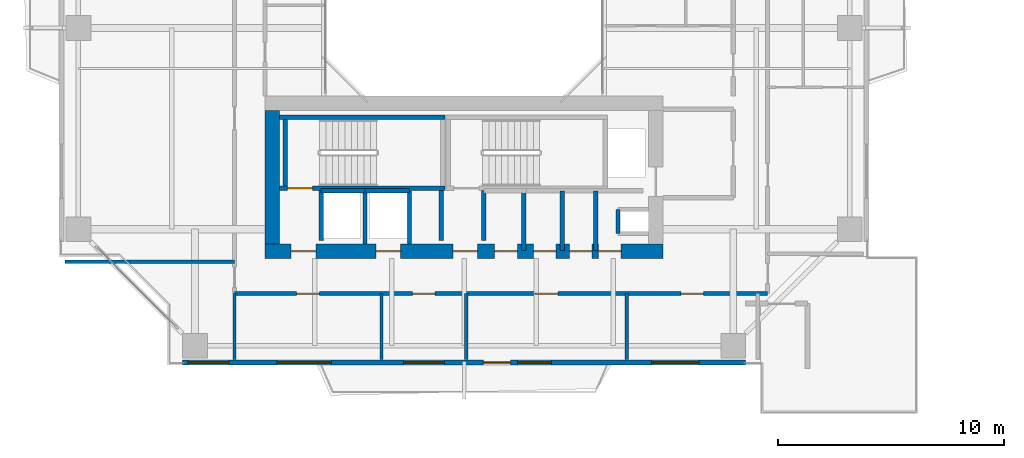
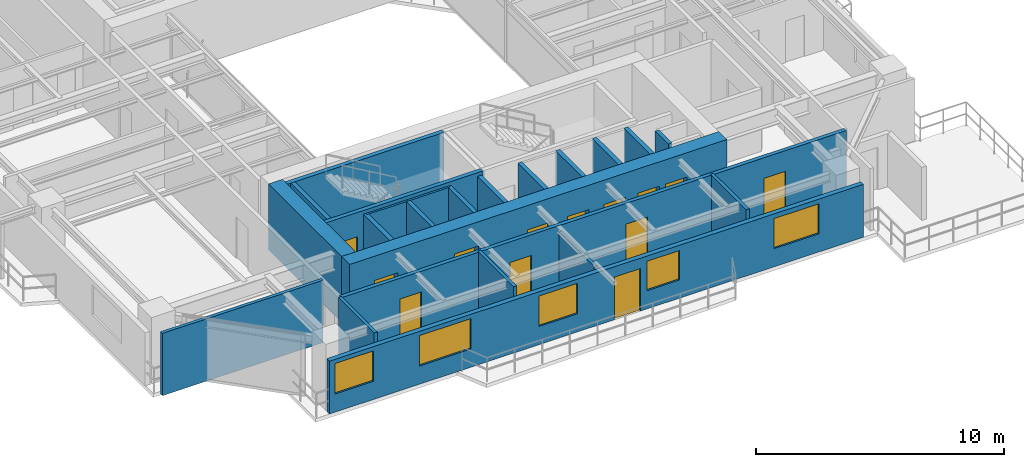
# One storey, part 21 of 28: 23 walls, 13 doors, 5 windows, 18 openings.
"""IFC4 building model written with IfcOpenShell, lengths in metres."""

from ifc_helpers import new_model, si_unit, direction, frame, frame_2d, origin, place, context, subcontext, project, spatial, rectangle, extrude, source, transform, mapped, material, layer, layer_set, type_object, element, fill, save


model = new_model("IFC4")

# Units and contexts
model_context = context("Model", 3, precision=1e-05, world=origin(), true_north=direction((0.0, 1.0)))
body_context = subcontext(model_context, "Body", "Model", "MODEL_VIEW")
ifc_project = project(units=[si_unit("LENGTHUNIT", "METRE"), si_unit("AREAUNIT", "SQUARE_METRE"), si_unit("VOLUMEUNIT", "CUBIC_METRE"), si_unit("PLANEANGLEUNIT", "RADIAN"), si_unit("MASSUNIT", "GRAM", prefix="KILO"), si_unit("THERMODYNAMICTEMPERATUREUNIT", "KELVIN"), si_unit("POWERUNIT", "WATT")], contexts=[model_context])

# Site, building, storey
site_placement = place(None, origin())
site = spatial("IfcSite", under=ifc_project, at=site_placement, CompositionType="ELEMENT")
building_placement = place(site_placement, origin())
building = spatial("IfcBuilding", under=site, at=building_placement, Name="Qiaomeng Ring Towers", CompositionType="ELEMENT")
storey_placement = place(building_placement, frame((0.0, 0.0, 113.25)))
storey = spatial("IfcBuildingStorey", under=building, at=storey_placement, Name="L32", CompositionType="ELEMENT", Elevation=113.25)

# Wall, openings, windows, door
ifc_material_1 = material(Name="Precast concrete C40", Category="concrete")
ifc_layer_1 = layer(ifc_material_1, 0.219970703125, Name="Precast concrete C40")
ifc_layer_set_1 = layer_set([ifc_layer_1], Name="Precast concrete C40")
wall_type_1 = type_object("IfcWallType", Name="ARC-WL-EW2", PredefinedType="STANDARD", material=ifc_layer_set_1)
wall_1_placement = place(storey_placement, frame((6.550048828125, 5.2099609375, 0.0), z_axis=(0.0, 0.0, 1.0), x_axis=(1.0, 0.0, 0.0)))
wall_1 = element("IfcWall", 1, at=wall_1_placement, inside=storey, type_object=wall_type_1, Name="L32 Tower 1 S Exterior Wall", PredefinedType="STANDARD", context=body_context, shape_type="SweptSolid", body=[
    extrude(rectangle(XDim=24.89990234375, YDim=0.219970703125, at=frame_2d((12.449951171875, 0.0))), origin(), (0.0, 0.0, 1.0), 2.610107421875),
])
opening_1_placement = place(wall_1_placement, frame((13.300048828125, 0.0, 0.0)))
opening_1 = element("IfcOpeningElement", 2, at=opening_1_placement, cuts=wall_1, Name="Opening BD1", PredefinedType="OPENING", context=body_context, shape_type="SweptSolid", body=[
    extrude(rectangle(XDim=1.199951171875, YDim=2.10009765625, at=frame_2d((0.60009765625, 1.050048828125))), frame((0.0, 0.119873046875, 0.0), z_axis=(0.0, -1.0, 0.0), x_axis=(1.0, 0.0, 0.0)), (0.0, 0.0, 1.0), 0.239990234375),
])
opening_2_placement = place(wall_1_placement, frame((0.257568359375, 0.0, 0.89990234375)))
opening_2 = element("IfcOpeningElement", 3, at=opening_2_placement, cuts=wall_1, Name="Opening WN1", PredefinedType="OPENING", context=body_context, shape_type="SweptSolid", body=[
    extrude(rectangle(XDim=1.800048828125, YDim=1.5, at=frame_2d((0.89990234375, 0.75))), frame((0.0, 0.119873046875, 0.0), z_axis=(0.0, -1.0, 0.0), x_axis=(1.0, 0.0, 0.0)), (0.0, 0.0, 1.0), 0.239990234375),
])
opening_3_placement = place(wall_1_placement, frame((9.77490234375, 0.0, 0.89990234375)))
opening_3 = element("IfcOpeningElement", 4, at=opening_3_placement, cuts=wall_1, Name="Opening WN1", PredefinedType="OPENING", context=body_context, shape_type="SweptSolid", body=[
    extrude(rectangle(XDim=1.800048828125, YDim=1.5, at=frame_2d((0.89990234375, 0.75))), frame((0.0, 0.119873046875, 0.0), z_axis=(0.0, -1.0, 0.0), x_axis=(1.0, 0.0, 0.0)), (0.0, 0.0, 1.0), 0.239990234375),
])
opening_4_placement = place(wall_1_placement, frame((14.81298828125, 0.0, 0.89990234375)))
opening_4 = element("IfcOpeningElement", 5, at=opening_4_placement, cuts=wall_1, Name="Opening WN2", PredefinedType="OPENING", context=body_context, shape_type="SweptSolid", body=[
    extrude(rectangle(XDim=1.5, YDim=1.449951171875, at=frame_2d((0.75, 0.72509765625))), frame((0.0, 0.119873046875, 0.0), z_axis=(0.0, -1.0, 0.0), x_axis=(1.0, 0.0, 0.0)), (0.0, 0.0, 1.0), 0.239990234375),
])
opening_5_placement = place(wall_1_placement, frame((20.738037109375, 0.0, 0.89990234375)))
opening_5 = element("IfcOpeningElement", 6, at=opening_5_placement, cuts=wall_1, Name="Opening WN4", PredefinedType="OPENING", context=body_context, shape_type="SweptSolid", body=[
    extrude(rectangle(XDim=2.10009765625, YDim=1.47998046875, at=frame_2d((1.050048828125, 0.739990234375))), frame((0.0, 0.119873046875, 0.0), z_axis=(0.0, -1.0, 0.0), x_axis=(1.0, 0.0, 0.0)), (0.0, 0.0, 1.0), 0.239990234375),
])
opening_6_placement = place(wall_1_placement, frame((4.1865234375, 0.0, 0.89990234375)))
opening_6 = element("IfcOpeningElement", 7, at=opening_6_placement, cuts=wall_1, Name="Opening WN6", PredefinedType="OPENING", context=body_context, shape_type="SweptSolid", body=[
    extrude(rectangle(XDim=2.39990234375, YDim=1.5, at=frame_2d((1.199951171875, 0.75))), frame((0.0, 0.119873046875, 0.0), z_axis=(0.0, -1.0, 0.0), x_axis=(1.0, 0.0, 0.0)), (0.0, 0.0, 1.0), 0.239990234375),
])
ifc_material_2 = material(Name="Low-E dark-grey laminated double glazing", Category="glass")
window_type_1 = type_object("IfcWindowType", Name="ARC-WN-2", PartitioningType="DOUBLE_PANEL_VERTICAL", PredefinedType="WINDOW", material=ifc_material_2)
shared_shape_1 = source(origin(), body_context, "Body", "SweptSolid", [
    extrude(rectangle(XDim=1.5, YDim=1.449951171875, at=frame_2d((0.75, 0.72509765625))), frame((0.0, 0.030029296875, 0.0), z_axis=(0.0, -1.0, 0.0), x_axis=(1.0, 0.0, 0.0)), (0.0, 0.0, 1.0), 0.06005859375),
])
window_1_placement = place(opening_4_placement, origin())
window_1 = element("IfcWindow", 8, at=window_1_placement, inside=storey, type_object=window_type_1, Name="L32 Exterior Window WN2", OverallHeight=1.449951171875, OverallWidth=1.5, PartitioningType="DOUBLE_PANEL_VERTICAL", PredefinedType="WINDOW", context=body_context, shape_type="MappedRepresentation", body=[
    mapped(shared_shape_1, transform((0.0, 0.0, 0.0), x_axis=(1.0, 0.0, 0.0), y_axis=(0.0, 1.0, 0.0), z_axis=(0.0, 0.0, 1.0), scale=1.0)),
])
fill(opening_4, window_1)
window_type_2 = type_object("IfcWindowType", Name="ARC-WN-4", PartitioningType="TRIPLE_PANEL_VERTICAL", PredefinedType="WINDOW", material=ifc_material_2)
shared_shape_2 = source(origin(), body_context, "Body", "SweptSolid", [
    extrude(rectangle(XDim=2.10009765625, YDim=1.47998046875, at=frame_2d((1.050048828125, 0.739990234375))), frame((0.0, 0.030029296875, 0.0), z_axis=(0.0, -1.0, 0.0), x_axis=(1.0, 0.0, 0.0)), (0.0, 0.0, 1.0), 0.06005859375),
])
window_2_placement = place(opening_5_placement, origin())
window_2 = element("IfcWindow", 9, at=window_2_placement, inside=storey, type_object=window_type_2, Name="L32 Exterior Window WN4", OverallHeight=1.47998046875, OverallWidth=2.10009765625, PartitioningType="TRIPLE_PANEL_VERTICAL", PredefinedType="WINDOW", context=body_context, shape_type="MappedRepresentation", body=[
    mapped(shared_shape_2, transform((0.0, 0.0, 0.0), x_axis=(1.0, 0.0, 0.0), y_axis=(0.0, 1.0, 0.0), z_axis=(0.0, 0.0, 1.0), scale=1.0)),
])
fill(opening_5, window_2)
door_type_1 = type_object("IfcDoorType", Name="ARC-DR-BD1", OperationType="NOTDEFINED", PredefinedType="DOOR", material=ifc_material_2)
shared_shape_3 = source(origin(), body_context, "Body", "SweptSolid", [
    extrude(rectangle(XDim=1.199951171875, YDim=2.10009765625, at=frame_2d((0.60009765625, 1.050048828125))), frame((0.0, 0.02490234375, 0.0), z_axis=(0.0, -1.0, 0.0), x_axis=(1.0, 0.0, 0.0)), (0.0, 0.0, 1.0), 0.050048828125),
])
door_1_placement = place(opening_1_placement, frame((1.199951171875, 0.0, 0.0), z_axis=(0.0, 0.0, 1.0), x_axis=(-1.0, 0.0, 0.0)))
door_1 = element("IfcDoor", 10, at=door_1_placement, inside=storey, type_object=door_type_1, Name="L32 S Balcony Glazed Door", OperationType="SINGLE_SWING_LEFT", OverallHeight=2.10009765625, OverallWidth=1.199951171875, PredefinedType="DOOR", context=body_context, shape_type="MappedRepresentation", body=[
    mapped(shared_shape_3, transform((0.0, 0.0, 0.0), x_axis=(1.0, 0.0, 0.0), y_axis=(0.0, 1.0, 0.0), z_axis=(0.0, 0.0, 1.0), scale=1.0)),
])
fill(opening_1, door_1)
window_type_3 = type_object("IfcWindowType", Name="ARC-WN-6", PartitioningType="TRIPLE_PANEL_VERTICAL", PredefinedType="WINDOW", material=ifc_material_2)
shared_shape_4 = source(origin(), body_context, "Body", "SweptSolid", [
    extrude(rectangle(XDim=2.39990234375, YDim=1.5, at=frame_2d((1.199951171875, 0.75))), frame((0.0, 0.030029296875, 0.0), z_axis=(0.0, -1.0, 0.0), x_axis=(1.0, 0.0, 0.0)), (0.0, 0.0, 1.0), 0.06005859375),
])
window_3_placement = place(opening_6_placement, origin())
window_3 = element("IfcWindow", 11, at=window_3_placement, inside=storey, type_object=window_type_3, Name="L32 Exterior Window WN6", OverallHeight=1.5, OverallWidth=2.39990234375, PartitioningType="TRIPLE_PANEL_VERTICAL", PredefinedType="WINDOW", context=body_context, shape_type="MappedRepresentation", body=[
    mapped(shared_shape_4, transform((0.0, 0.0, 0.0), x_axis=(1.0, 0.0, 0.0), y_axis=(0.0, 1.0, 0.0), z_axis=(0.0, 0.0, 1.0), scale=1.0)),
])
fill(opening_6, window_3)
window_type_4 = type_object("IfcWindowType", Name="ARC-WN-1", PartitioningType="DOUBLE_PANEL_VERTICAL", PredefinedType="WINDOW", material=ifc_material_2)
shared_shape_5 = source(origin(), body_context, "Body", "SweptSolid", [
    extrude(rectangle(XDim=1.800048828125, YDim=1.5, at=frame_2d((0.89990234375, 0.75))), frame((0.0, 0.030029296875, 0.0), z_axis=(0.0, -1.0, 0.0), x_axis=(1.0, 0.0, 0.0)), (0.0, 0.0, 1.0), 0.06005859375),
])
window_4_placement = place(opening_2_placement, origin())
window_4 = element("IfcWindow", 12, at=window_4_placement, inside=storey, type_object=window_type_4, Name="L32 Exterior Window WN6", OverallHeight=1.5, OverallWidth=1.800048828125, PartitioningType="TRIPLE_PANEL_VERTICAL", PredefinedType="WINDOW", context=body_context, shape_type="MappedRepresentation", body=[
    mapped(shared_shape_5, transform((0.0, 0.0, 0.0), x_axis=(1.0, 0.0, 0.0), y_axis=(0.0, 1.0, 0.0), z_axis=(0.0, 0.0, 1.0), scale=1.0)),
])
fill(opening_2, window_4)
window_5_placement = place(opening_3_placement, origin())
window_5 = element("IfcWindow", 13, at=window_5_placement, inside=storey, type_object=window_type_4, Name="L32 Exterior Window WN1", OverallHeight=1.5, OverallWidth=1.800048828125, PartitioningType="DOUBLE_PANEL_VERTICAL", PredefinedType="WINDOW", context=body_context, shape_type="MappedRepresentation", body=[
    mapped(shared_shape_5, transform((0.0, 0.0, 0.0), x_axis=(1.0, 0.0, 0.0), y_axis=(0.0, 1.0, 0.0), z_axis=(0.0, 0.0, 1.0), scale=1.0)),
])
fill(opening_3, window_5)

# Walls
ifc_material_3 = material(Name="Autoclaved aerated concrete block", Category="concrete")
ifc_layer_2 = layer(ifc_material_3, 0.199951171875, Name="Autoclaved aerated concrete block")
ifc_layer_set_2 = layer_set([ifc_layer_2], Name="Autoclaved aerated concrete block")
wall_type_2 = type_object("IfcWallType", Name="ARC-WL-PW1", PredefinedType="PARTITIONING", material=ifc_layer_set_2)
for number, where, z_axis, x_axis, name in (
    (14, (12.679931640625, 10.60009765625, 0.0), (0.0, 0.0, 1.0), (0.0, 1.0, 0.0), "L32 Interior Wall PW1"),
    (15, (18.0, 10.60009765625, 0.0), (0.0, 0.0, 1.0), (0.0, 1.0, 0.0), "L32 Interior Wall PW1"),
    (16, (19.8798828125, 10.60009765625, 0.0), (0.0, 0.0, 1.0), (0.0, 1.0, 0.0), "L32 Interior Wall PW1"),
):
    element("IfcWall", number, at=place(storey_placement, frame(where, z_axis=z_axis, x_axis=x_axis)), inside=storey, type_object=wall_type_2, Name=name, PredefinedType="PARTITIONING", context=body_context, shape_type="SweptSolid", body=[
        extrude(rectangle(XDim=2.2099609375, YDim=0.199951171875, at=frame_2d((1.10498046875, 0.0))), origin(), (0.0, 0.0, 1.0), 3.070068359375),
    ])
for number, where, z_axis, x_axis, name in (
    (17, (24.820068359375, 10.14990234375, 0.0), (0.0, 0.0, 1.0), (0.0, 1.0, 0.0), "L32 Interior Wall PW1"),
    (18, (21.639892578125, 10.14990234375, 0.0), (0.0, 0.0, 1.0), (0.0, 1.0, 0.0), "L32 Interior Wall PW1"),
    (19, (23.35009765625, 10.14990234375, 0.0), (0.0, 0.0, 1.0), (0.0, 1.0, 0.0), "L32 Interior Wall PW1"),
):
    element("IfcWall", number, at=place(storey_placement, frame(where, z_axis=z_axis, x_axis=x_axis)), inside=storey, type_object=wall_type_2, Name=name, PredefinedType="PARTITIONING", context=body_context, shape_type="SweptSolid", body=[
        extrude(rectangle(XDim=2.650146484375, YDim=0.199951171875, at=frame_2d((1.3251953125, 0.0))), origin(), (0.0, 0.0, 1.0), 3.070068359375),
    ])

# Wall, openings, doors
ifc_layer_3 = layer(ifc_material_3, 0.179931640625, Name="Autoclaved aerated concrete block")
ifc_layer_set_3 = layer_set([ifc_layer_3], Name="Autoclaved aerated concrete block")
wall_type_3 = type_object("IfcWallType", Name="ARC-WL-PW2", PredefinedType="PARTITIONING", material=ifc_layer_set_3)
wall_2_placement = place(storey_placement, frame((8.85009765625, 8.25, 0.0), z_axis=(0.0, 0.0, 1.0), x_axis=(1.0, 0.0, 0.0)))
wall_2 = element("IfcWall", 20, at=wall_2_placement, inside=storey, type_object=wall_type_3, Name="L32 Interior Wall PW2", PredefinedType="PARTITIONING", context=body_context, shape_type="SweptSolid", body=[
    extrude(rectangle(XDim=23.56982421875, YDim=0.179931640625, at=frame_2d((11.784912109375, 0.0))), origin(), (0.0, 0.0, 1.0), 3.070068359375),
])
opening_7_placement = place(wall_2_placement, frame((2.75, 0.0, 0.0)))
opening_7 = element("IfcOpeningElement", 21, at=opening_7_placement, cuts=wall_2, Name="Opening FD4", PredefinedType="OPENING", context=body_context, shape_type="SweptSolid", body=[
    extrude(rectangle(XDim=1.0, YDim=2.050048828125, at=frame_2d((0.5, 1.02490234375))), frame((0.0, 0.099853515625, 0.0), z_axis=(0.0, -1.0, 0.0), x_axis=(1.0, 0.0, 0.0)), (0.0, 0.0, 1.0), 0.199951171875),
])
opening_8_placement = place(wall_2_placement, frame((7.875, 0.0, 0.0)))
opening_8 = element("IfcOpeningElement", 22, at=opening_8_placement, cuts=wall_2, Name="Opening FD4", PredefinedType="OPENING", context=body_context, shape_type="SweptSolid", body=[
    extrude(rectangle(XDim=1.0, YDim=2.050048828125, at=frame_2d((0.5, 1.02490234375))), frame((0.0, 0.099853515625, 0.0), z_axis=(0.0, -1.0, 0.0), x_axis=(1.0, 0.0, 0.0)), (0.0, 0.0, 1.0), 0.199951171875),
])
opening_9_placement = place(wall_2_placement, frame((13.300048828125, 0.0, 0.0)))
opening_9 = element("IfcOpeningElement", 23, at=opening_9_placement, cuts=wall_2, Name="Opening FD4", PredefinedType="OPENING", context=body_context, shape_type="SweptSolid", body=[
    extrude(rectangle(XDim=1.0, YDim=2.050048828125, at=frame_2d((0.5, 1.02490234375))), frame((0.0, 0.099853515625, 0.0), z_axis=(0.0, -1.0, 0.0), x_axis=(1.0, 0.0, 0.0)), (0.0, 0.0, 1.0), 0.199951171875),
])
opening_10_placement = place(wall_2_placement, frame((19.739990234375, 0.0, 0.0)))
opening_10 = element("IfcOpeningElement", 24, at=opening_10_placement, cuts=wall_2, Name="Opening FD4", PredefinedType="OPENING", context=body_context, shape_type="SweptSolid", body=[
    extrude(rectangle(XDim=1.0, YDim=2.050048828125, at=frame_2d((0.5, 1.02490234375))), frame((0.0, 0.099853515625, 0.0), z_axis=(0.0, -1.0, 0.0), x_axis=(1.0, 0.0, 0.0)), (0.0, 0.0, 1.0), 0.199951171875),
])
ifc_material_4 = material(Name="Engineered fire-rated oak timber", Category="wood")
door_type_2 = type_object("IfcDoorType", Name="ARC-DR-FD4", OperationType="NOTDEFINED", PredefinedType="DOOR", material=ifc_material_4)
shared_shape_6 = source(origin(), body_context, "Body", "SweptSolid", [
    extrude(rectangle(XDim=1.0, YDim=2.050048828125, at=frame_2d((0.5, 1.02490234375))), frame((0.0, 0.02490234375, 0.0), z_axis=(0.0, -1.0, 0.0), x_axis=(1.0, 0.0, 0.0)), (0.0, 0.0, 1.0), 0.050048828125),
])
door_2_placement = place(opening_7_placement, origin())
door_2 = element("IfcDoor", 25, at=door_2_placement, inside=storey, type_object=door_type_2, Name="L32 Door FD4", OperationType="SINGLE_SWING_RIGHT", OverallHeight=2.050048828125, OverallWidth=1.0, PredefinedType="DOOR", context=body_context, shape_type="MappedRepresentation", body=[
    mapped(shared_shape_6, transform((0.0, 0.0, 0.0), x_axis=(1.0, 0.0, 0.0), y_axis=(0.0, 1.0, 0.0), z_axis=(0.0, 0.0, 1.0), scale=1.0)),
])
fill(opening_7, door_2)
door_3_placement = place(opening_8_placement, origin())
door_3 = element("IfcDoor", 26, at=door_3_placement, inside=storey, type_object=door_type_2, Name="L32 Door FD4", OperationType="SINGLE_SWING_LEFT", OverallHeight=2.050048828125, OverallWidth=1.0, PredefinedType="DOOR", context=body_context, shape_type="MappedRepresentation", body=[
    mapped(shared_shape_6, transform((0.0, 0.0, 0.0), x_axis=(1.0, 0.0, 0.0), y_axis=(0.0, 1.0, 0.0), z_axis=(0.0, 0.0, 1.0), scale=1.0)),
])
fill(opening_8, door_3)
door_4_placement = place(opening_9_placement, origin())
door_4 = element("IfcDoor", 27, at=door_4_placement, inside=storey, type_object=door_type_2, Name="L32 Door FD4", OperationType="SINGLE_SWING_RIGHT", OverallHeight=2.050048828125, OverallWidth=1.0, PredefinedType="DOOR", context=body_context, shape_type="MappedRepresentation", body=[
    mapped(shared_shape_6, transform((0.0, 0.0, 0.0), x_axis=(1.0, 0.0, 0.0), y_axis=(0.0, 1.0, 0.0), z_axis=(0.0, 0.0, 1.0), scale=1.0)),
])
fill(opening_9, door_4)
door_5_placement = place(opening_10_placement, origin())
door_5 = element("IfcDoor", 28, at=door_5_placement, inside=storey, type_object=door_type_2, Name="L32 Door FD4", OperationType="SINGLE_SWING_LEFT", OverallHeight=2.050048828125, OverallWidth=1.0, PredefinedType="DOOR", context=body_context, shape_type="MappedRepresentation", body=[
    mapped(shared_shape_6, transform((0.0, 0.0, 0.0), x_axis=(1.0, 0.0, 0.0), y_axis=(0.0, 1.0, 0.0), z_axis=(0.0, 0.0, 1.0), scale=1.0)),
])
fill(opening_10, door_5)

# Walls
ifc_material_5 = material(Name="Gypsum fireboard steel-stud partition", Category="steel")
ifc_layer_4 = layer(ifc_material_5, 0.14990234375, Name="Gypsum fireboard steel-stud partition")
ifc_layer_set_4 = layer_set([ifc_layer_4], Name="Gypsum fireboard steel-stud partition")
wall_type_4 = type_object("IfcWallType", Name="ARC-WL-PW3", PredefinedType="PARTITIONING", material=ifc_layer_set_4)
wall_3_placement = place(storey_placement, frame((15.35009765625, 5.35009765625, 0.0), z_axis=(0.0, 0.0, 1.0), x_axis=(0.0, 1.0, 0.0)))
element("IfcWall", 29, at=wall_3_placement, inside=storey, type_object=wall_type_4, Name="L32 Interior Wall PW3", PredefinedType="PARTITIONING", context=body_context, shape_type="SweptSolid", body=[
    extrude(rectangle(XDim=2.89990234375, YDim=0.14990234375, at=frame_2d((1.449951171875, 0.0))), origin(), (0.0, 0.0, 1.0), 3.070068359375),
])
wall_4_placement = place(storey_placement, frame((19.10009765625, 5.35009765625, 0.0), z_axis=(0.0, 0.0, 1.0), x_axis=(0.0, 1.0, 0.0)))
element("IfcWall", 30, at=wall_4_placement, inside=storey, type_object=wall_type_4, Name="L32 Interior Wall PW3", PredefinedType="PARTITIONING", context=body_context, shape_type="SweptSolid", body=[
    extrude(rectangle(XDim=2.89990234375, YDim=0.14990234375, at=frame_2d((1.449951171875, 0.0))), origin(), (0.0, 0.0, 1.0), 2.77099609375),
])
for number, where, z_axis, x_axis, name in (
    (31, (26.199951171875, 5.35009765625, 0.0), (0.0, 0.0, 1.0), (0.0, 1.0, 0.0), "L32 Interior Wall PW3"),
    (32, (8.85009765625, 5.35009765625, 0.0), (0.0, 0.0, 1.0), (0.0, 1.0, 0.0), "L32 Interior Wall PW3"),
):
    element("IfcWall", number, at=place(storey_placement, frame(where, z_axis=z_axis, x_axis=x_axis)), inside=storey, type_object=wall_type_4, Name=name, PredefinedType="PARTITIONING", context=body_context, shape_type="SweptSolid", body=[
        extrude(rectangle(XDim=2.89990234375, YDim=0.14990234375, at=frame_2d((1.449951171875, 0.0))), origin(), (0.0, 0.0, 1.0), 3.070068359375),
    ])
wall_5_placement = place(storey_placement, frame((1.35009765625, 9.669921875, 0.0), z_axis=(0.0, 0.0, 1.0), x_axis=(1.0, 0.0, 0.0)))
element("IfcWall", 33, at=wall_5_placement, inside=storey, type_object=wall_type_4, Name="L32 Interior Wall PW3", PredefinedType="PARTITIONING", context=body_context, shape_type="SweptSolid", body=[
    extrude(rectangle(XDim=7.5, YDim=0.14990234375, at=frame_2d((3.75, 0.0))), origin(), (0.0, 0.0, 1.0), 3.070068359375),
])
ifc_material_6 = material(Name="Concrete C40", Category="concrete")
ifc_layer_5 = layer(ifc_material_6, 0.199951171875, Name="Concrete C40")
ifc_layer_set_5 = layer_set([ifc_layer_5], Name="Concrete C40")
wall_type_5 = type_object("IfcWallType", Name="STR-WL-STSHAFT", PredefinedType="SHEAR", material=ifc_layer_set_5)
wall_6_placement = place(storey_placement, frame((12.679931640625, 12.800048828125, 0.0), z_axis=(0.0, 0.0, 1.0), x_axis=(1.0, 0.0, 0.0)))
element("IfcWall", 34, at=wall_6_placement, inside=storey, type_object=wall_type_5, Name="L32 Lift LP6 Shaft Back Wall", PredefinedType="SHEAR", context=body_context, shape_type="SweptSolid", body=[
    extrude(rectangle(XDim=1.940185546875, YDim=0.179931640625, at=frame_2d((0.97021484375, 0.0))), origin(), (0.0, 0.0, 1.0), 3.070068359375),
])
wall_7_placement = place(storey_placement, frame((14.6201171875, 10.449951171875, 0.0), z_axis=(0.0, 0.0, 1.0), x_axis=(0.0, 1.0, 0.0)))
element("IfcWall", 35, at=wall_7_placement, inside=storey, type_object=wall_type_5, Name="L32 Lift LP6-LP4 Shaft Divider Wall", PredefinedType="SHEAR", context=body_context, shape_type="SweptSolid", body=[
    extrude(rectangle(XDim=2.35009765625, YDim=0.179931640625, at=frame_2d((1.175048828125, 0.0))), origin(), (0.0, 0.0, 1.0), 3.070068359375),
])
wall_8_placement = place(storey_placement, frame((25.800048828125, 10.919921875, 0.0), z_axis=(0.0, 0.0, 1.0), x_axis=(0.0, 1.0, 0.0)))
element("IfcWall", 36, at=wall_8_placement, inside=storey, type_object=wall_type_5, Name="L32 Riser RSR1 West Shaft Wall S", PredefinedType="SHEAR", context=body_context, shape_type="SweptSolid", body=[
    extrude(rectangle(XDim=1.06005859375, YDim=0.179931640625, at=frame_2d((0.530029296875, 0.0))), origin(), (0.0, 0.0, 1.0), 3.070068359375),
])
wall_9_placement = place(storey_placement, frame((14.6201171875, 12.800048828125, 0.0), z_axis=(0.0, 0.0, 1.0), x_axis=(1.0, 0.0, 0.0)))
element("IfcWall", 37, at=wall_9_placement, inside=storey, type_object=wall_type_5, Name="L32 Lift LP4 Shaft Back Wall", PredefinedType="SHEAR", context=body_context, shape_type="SweptSolid", body=[
    extrude(rectangle(XDim=1.9599609375, YDim=0.179931640625, at=frame_2d((0.97998046875, 0.0))), origin(), (0.0, 0.0, 1.0), 3.070068359375),
])
wall_10_placement = place(storey_placement, frame((16.580078125, 10.449951171875, 0.0), z_axis=(0.0, 0.0, 1.0), x_axis=(0.0, 1.0, 0.0)))
element("IfcWall", 38, at=wall_10_placement, inside=storey, type_object=wall_type_5, Name="L32 Lift LP4 East Shaft Wall", PredefinedType="SHEAR", context=body_context, shape_type="SweptSolid", body=[
    extrude(rectangle(XDim=2.35009765625, YDim=0.179931640625, at=frame_2d((1.175048828125, 0.0))), origin(), (0.0, 0.0, 1.0), 3.070068359375),
])

# Wall, opening, door
wall_11_placement = place(storey_placement, frame((10.85009765625, 12.909912109375, 0.0), z_axis=(0.0, 0.0, 1.0), x_axis=(1.0, 0.0, 0.0)))
wall_11 = element("IfcWall", 39, at=wall_11_placement, inside=storey, type_object=wall_type_5, Name="L32 Stair ST3 South Shaft Shear Wall", PredefinedType="SHEAR", context=body_context, shape_type="SweptSolid", body=[
    extrude(rectangle(XDim=7.2998046875, YDim=0.199951171875, at=frame_2d((3.64990234375, 0.0))), origin(), (0.0, 0.0, 1.0), 3.25),
])
opening_11_placement = place(wall_11_placement, frame((0.35009765625, 0.0, 0.0)))
opening_11 = element("IfcOpeningElement", 40, at=opening_11_placement, cuts=wall_11, Name="Opening FD3", PredefinedType="OPENING", context=body_context, shape_type="SweptSolid", body=[
    extrude(rectangle(XDim=1.10009765625, YDim=2.050048828125, at=frame_2d((0.550048828125, 1.02490234375))), frame((0.0, 0.10986328125, 0.0), z_axis=(0.0, -1.0, 0.0), x_axis=(1.0, 0.0, 0.0)), (0.0, 0.0, 1.0), 0.219970703125),
])
ifc_material_7 = material(Name="Galvanised steel", Category="steel")
door_type_3 = type_object("IfcDoorType", Name="ARC-DR-FD3", OperationType="NOTDEFINED", PredefinedType="DOOR", material=ifc_material_7)
shared_shape_7 = source(origin(), body_context, "Body", "SweptSolid", [
    extrude(rectangle(XDim=1.10009765625, YDim=2.050048828125, at=frame_2d((0.550048828125, 1.02490234375))), frame((0.0, 0.02490234375, 0.0), z_axis=(0.0, -1.0, 0.0), x_axis=(1.0, 0.0, 0.0)), (0.0, 0.0, 1.0), 0.050048828125),
])
door_6_placement = place(opening_11_placement, frame((1.10009765625, 0.0, 0.0), z_axis=(0.0, 0.0, 1.0), x_axis=(-1.0, 0.0, 0.0)))
door_6 = element("IfcDoor", 41, at=door_6_placement, inside=storey, type_object=door_type_3, Name="L32 Stair ST3 Exit Door", OperationType="SINGLE_SWING_LEFT", OverallHeight=2.050048828125, OverallWidth=1.10009765625, PredefinedType="DOOR", context=body_context, shape_type="MappedRepresentation", body=[
    mapped(shared_shape_7, transform((0.0, 0.0, 0.0), x_axis=(1.0, 0.0, 0.0), y_axis=(0.0, 1.0, 0.0), z_axis=(0.0, 0.0, 1.0), scale=1.0)),
])
fill(opening_11, door_6)

# Walls
wall_12_placement = place(storey_placement, frame((10.85009765625, 16.050048828125, 0.0), z_axis=(0.0, 0.0, 1.0), x_axis=(1.0, 0.0, 0.0)))
element("IfcWall", 42, at=wall_12_placement, inside=storey, type_object=wall_type_5, Name="L32 Stair ST3 North Shaft Shear Wall", PredefinedType="SHEAR", context=body_context, shape_type="SweptSolid", body=[
    extrude(rectangle(XDim=7.2998046875, YDim=0.199951171875, at=frame_2d((3.64990234375, 0.0))), origin(), (0.0, 0.0, 1.0), 3.25),
])
wall_13_placement = place(storey_placement, frame((11.10009765625, 13.010009765625, 0.0), z_axis=(0.0, 0.0, 1.0), x_axis=(0.0, 1.0, 0.0)))
element("IfcWall", 43, at=wall_13_placement, inside=storey, type_object=wall_type_5, Name="L32 Stair ST3 West Shaft Shear Wall", PredefinedType="SHEAR", context=body_context, shape_type="SweptSolid", body=[
    extrude(rectangle(XDim=2.93994140625, YDim=0.199951171875, at=frame_2d((1.469970703125, 0.0))), origin(), (0.0, 0.0, 1.0), 3.25),
])

# Wall, openings, doors
ifc_material_8 = material(Name="Concrete C55", Category="concrete")
ifc_layer_6 = layer(ifc_material_8, 0.64990234375, Name="Concrete C55")
ifc_layer_set_6 = layer_set([ifc_layer_6], Name="Concrete C55")
wall_type_6 = type_object("IfcWallType", Name="STR-WL-SW2A", PredefinedType="SHEAR", material=ifc_layer_set_6)
wall_14_placement = place(storey_placement, frame((10.199951171875, 10.125, 0.0), z_axis=(0.0, 0.0, 1.0), x_axis=(1.0, 0.0, 0.0)))
wall_14 = element("IfcWall", 44, at=wall_14_placement, inside=storey, type_object=wall_type_6, Name="L32 T1SC south core shear wall", PredefinedType="SHEAR", context=body_context, shape_type="SweptSolid", body=[
    extrude(rectangle(XDim=17.60009765625, YDim=0.64990234375, at=frame_2d((8.800048828125, 0.0))), origin(), (0.0, 0.0, 1.0), 3.25),
])
opening_12_placement = place(wall_14_placement, frame((1.14990234375, 0.0, 0.0)))
opening_12 = element("IfcOpeningElement", 45, at=opening_12_placement, cuts=wall_14, Name="Opening FD3", PredefinedType="OPENING", context=body_context, shape_type="SweptSolid", body=[
    extrude(rectangle(XDim=1.10009765625, YDim=2.050048828125, at=frame_2d((0.550048828125, 1.02490234375))), frame((0.0, 0.3349609375, 0.0), z_axis=(0.0, -1.0, 0.0), x_axis=(1.0, 0.0, 0.0)), (0.0, 0.0, 1.0), 0.669921875),
])
opening_13_placement = place(wall_14_placement, frame((8.300048828125, 0.0, 0.0)))
opening_13 = element("IfcOpeningElement", 46, at=opening_13_placement, cuts=wall_14, Name="Opening FD3", PredefinedType="OPENING", context=body_context, shape_type="SweptSolid", body=[
    extrude(rectangle(XDim=1.10009765625, YDim=2.050048828125, at=frame_2d((0.550048828125, 1.02490234375))), frame((0.0, 0.3349609375, 0.0), z_axis=(0.0, -1.0, 0.0), x_axis=(1.0, 0.0, 0.0)), (0.0, 0.0, 1.0), 0.669921875),
])
opening_14_placement = place(wall_14_placement, frame((4.89990234375, 0.0, 0.0)))
opening_14 = element("IfcOpeningElement", 47, at=opening_14_placement, cuts=wall_14, Name="Opening LD1", PredefinedType="OPENING", context=body_context, shape_type="SweptSolid", body=[
    extrude(rectangle(XDim=1.10009765625, YDim=2.050048828125, at=frame_2d((0.550048828125, 1.02490234375))), frame((0.0, 0.3349609375, 0.0), z_axis=(0.0, -1.0, 0.0), x_axis=(1.0, 0.0, 0.0)), (0.0, 0.0, 1.0), 0.669921875),
])
opening_15_placement = place(wall_14_placement, frame((14.739990234375, 0.0, 0.0)))
opening_15 = element("IfcOpeningElement", 48, at=opening_15_placement, cuts=wall_14, Name="Opening FD1", PredefinedType="OPENING", context=body_context, shape_type="SweptSolid", body=[
    extrude(rectangle(XDim=1.0, YDim=2.050048828125, at=frame_2d((0.5, 1.02490234375))), frame((0.0, 0.3349609375, 0.0), z_axis=(0.0, -1.0, 0.0), x_axis=(1.0, 0.0, 0.0)), (0.0, 0.0, 1.0), 0.669921875),
])
opening_16_placement = place(wall_14_placement, frame((10.155029296875, 0.0, 0.0)))
opening_16 = element("IfcOpeningElement", 49, at=opening_16_placement, cuts=wall_14, Name="Opening FD1", PredefinedType="OPENING", context=body_context, shape_type="SweptSolid", body=[
    extrude(rectangle(XDim=1.0, YDim=2.050048828125, at=frame_2d((0.5, 1.02490234375))), frame((0.0, 0.3349609375, 0.0), z_axis=(0.0, -1.0, 0.0), x_axis=(1.0, 0.0, 0.0)), (0.0, 0.0, 1.0), 0.669921875),
])
opening_17_placement = place(wall_14_placement, frame((11.8701171875, 0.0, 0.0)))
opening_17 = element("IfcOpeningElement", 50, at=opening_17_placement, cuts=wall_14, Name="Opening FD1", PredefinedType="OPENING", context=body_context, shape_type="SweptSolid", body=[
    extrude(rectangle(XDim=1.0, YDim=2.050048828125, at=frame_2d((0.5, 1.02490234375))), frame((0.0, 0.3349609375, 0.0), z_axis=(0.0, -1.0, 0.0), x_axis=(1.0, 0.0, 0.0)), (0.0, 0.0, 1.0), 0.669921875),
])
opening_18_placement = place(wall_14_placement, frame((13.4599609375, 0.0, 0.0)))
opening_18 = element("IfcOpeningElement", 51, at=opening_18_placement, cuts=wall_14, Name="Opening FD1", PredefinedType="OPENING", context=body_context, shape_type="SweptSolid", body=[
    extrude(rectangle(XDim=1.0, YDim=2.050048828125, at=frame_2d((0.5, 1.02490234375))), frame((0.0, 0.3349609375, 0.0), z_axis=(0.0, -1.0, 0.0), x_axis=(1.0, 0.0, 0.0)), (0.0, 0.0, 1.0), 0.669921875),
])
door_7_placement = place(opening_12_placement, origin())
door_7 = element("IfcDoor", 52, at=door_7_placement, inside=storey, type_object=door_type_3, Name="L32 Stair ST3 Lobby Door", OperationType="SINGLE_SWING_RIGHT", OverallHeight=2.050048828125, OverallWidth=1.10009765625, PredefinedType="DOOR", context=body_context, shape_type="MappedRepresentation", body=[
    mapped(shared_shape_7, transform((0.0, 0.0, 0.0), x_axis=(1.0, 0.0, 0.0), y_axis=(0.0, 1.0, 0.0), z_axis=(0.0, 0.0, 1.0), scale=1.0)),
])
fill(opening_12, door_7)
door_8_placement = place(opening_13_placement, origin())
door_8 = element("IfcDoor", 53, at=door_8_placement, inside=storey, type_object=door_type_3, Name="L32 Stair ST4 Lobby Door", OperationType="SINGLE_SWING_RIGHT", OverallHeight=2.050048828125, OverallWidth=1.10009765625, PredefinedType="DOOR", context=body_context, shape_type="MappedRepresentation", body=[
    mapped(shared_shape_7, transform((0.0, 0.0, 0.0), x_axis=(1.0, 0.0, 0.0), y_axis=(0.0, 1.0, 0.0), z_axis=(0.0, 0.0, 1.0), scale=1.0)),
])
fill(opening_13, door_8)
ifc_material_9 = material(Name="Stainless steel 316", Category="steel")
door_type_4 = type_object("IfcDoorType", Name="ARC-DR-LD1", OperationType="NOTDEFINED", PredefinedType="DOOR", material=ifc_material_9)
door_9_placement = place(opening_14_placement, origin())
door_9 = element("IfcDoor", 54, at=door_9_placement, inside=storey, type_object=door_type_4, Name="L32 Mid-Zone Lift LP4 Landing Door", OperationType="SLIDING_TO_RIGHT", OverallHeight=2.050048828125, OverallWidth=1.10009765625, PredefinedType="DOOR", context=body_context, shape_type="MappedRepresentation", body=[
    mapped(shared_shape_7, transform((0.0, 0.0, 0.0), x_axis=(1.0, 0.0, 0.0), y_axis=(0.0, 1.0, 0.0), z_axis=(0.0, 0.0, 1.0), scale=1.0)),
])
fill(opening_14, door_9)
door_type_5 = type_object("IfcDoorType", Name="ARC-DR-FD1", OperationType="NOTDEFINED", PredefinedType="DOOR", material=ifc_material_7)
door_10_placement = place(opening_15_placement, origin())
door_10 = element("IfcDoor", 55, at=door_10_placement, inside=storey, type_object=door_type_5, Name="L32 South Electrical Riser Door", OperationType="SINGLE_SWING_LEFT", OverallHeight=2.050048828125, OverallWidth=1.0, PredefinedType="DOOR", context=body_context, shape_type="MappedRepresentation", body=[
    mapped(shared_shape_6, transform((0.0, 0.0, 0.0), x_axis=(1.0, 0.0, 0.0), y_axis=(0.0, 1.0, 0.0), z_axis=(0.0, 0.0, 1.0), scale=1.0)),
])
fill(opening_15, door_10)
door_11_placement = place(opening_16_placement, origin())
door_11 = element("IfcDoor", 56, at=door_11_placement, inside=storey, type_object=door_type_5, Name="L32 South Break Lounge Door", OperationType="SINGLE_SWING_LEFT", OverallHeight=2.050048828125, OverallWidth=1.0, PredefinedType="DOOR", context=body_context, shape_type="MappedRepresentation", body=[
    mapped(shared_shape_6, transform((0.0, 0.0, 0.0), x_axis=(1.0, 0.0, 0.0), y_axis=(0.0, 1.0, 0.0), z_axis=(0.0, 0.0, 1.0), scale=1.0)),
])
fill(opening_16, door_11)
door_12_placement = place(opening_17_placement, origin())
door_12 = element("IfcDoor", 57, at=door_12_placement, inside=storey, type_object=door_type_5, Name="L32 South Consultation Study Door", OperationType="SINGLE_SWING_RIGHT", OverallHeight=2.050048828125, OverallWidth=1.0, PredefinedType="DOOR", context=body_context, shape_type="MappedRepresentation", body=[
    mapped(shared_shape_6, transform((0.0, 0.0, 0.0), x_axis=(1.0, 0.0, 0.0), y_axis=(0.0, 1.0, 0.0), z_axis=(0.0, 0.0, 1.0), scale=1.0)),
])
fill(opening_17, door_12)
door_13_placement = place(opening_18_placement, origin())
door_13 = element("IfcDoor", 58, at=door_13_placement, inside=storey, type_object=door_type_5, Name="L32 South Tea Pantry Door", OperationType="SINGLE_SWING_LEFT", OverallHeight=2.050048828125, OverallWidth=1.0, PredefinedType="DOOR", context=body_context, shape_type="MappedRepresentation", body=[
    mapped(shared_shape_6, transform((0.0, 0.0, 0.0), x_axis=(1.0, 0.0, 0.0), y_axis=(0.0, 1.0, 0.0), z_axis=(0.0, 0.0, 1.0), scale=1.0)),
])
fill(opening_18, door_13)

# Wall
wall_15_placement = place(storey_placement, frame((10.52490234375, 10.449951171875, 0.0), z_axis=(0.0, 0.0, 1.0), x_axis=(0.0, 1.0, 0.0)))
element("IfcWall", 59, at=wall_15_placement, inside=storey, type_object=wall_type_6, Name="L32 T1SC west core shear wall", PredefinedType="SHEAR", context=body_context, shape_type="SweptSolid", body=[
    extrude(rectangle(XDim=5.900146484375, YDim=0.64990234375, at=frame_2d((2.9501953125, 0.0))), origin(), (0.0, 0.0, 1.0), 3.25),
])

save(model, "model.ifc")
